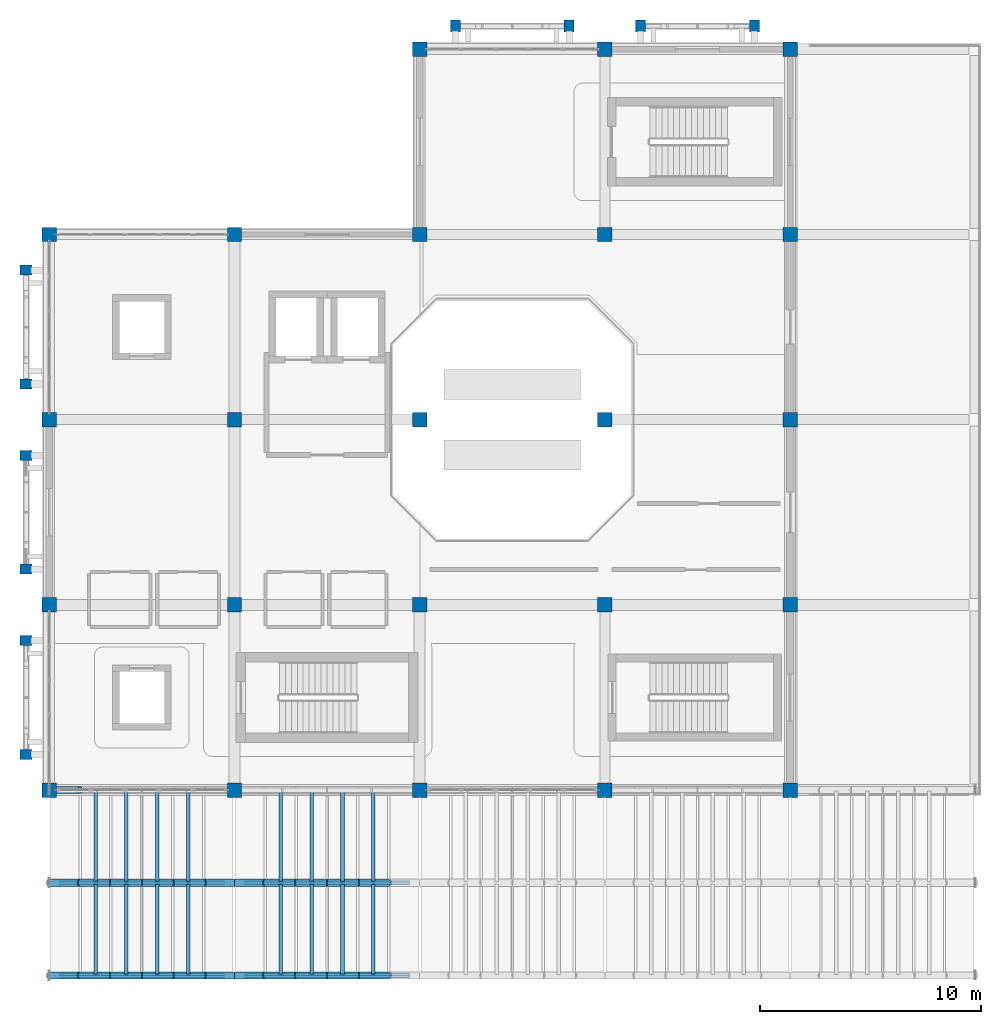
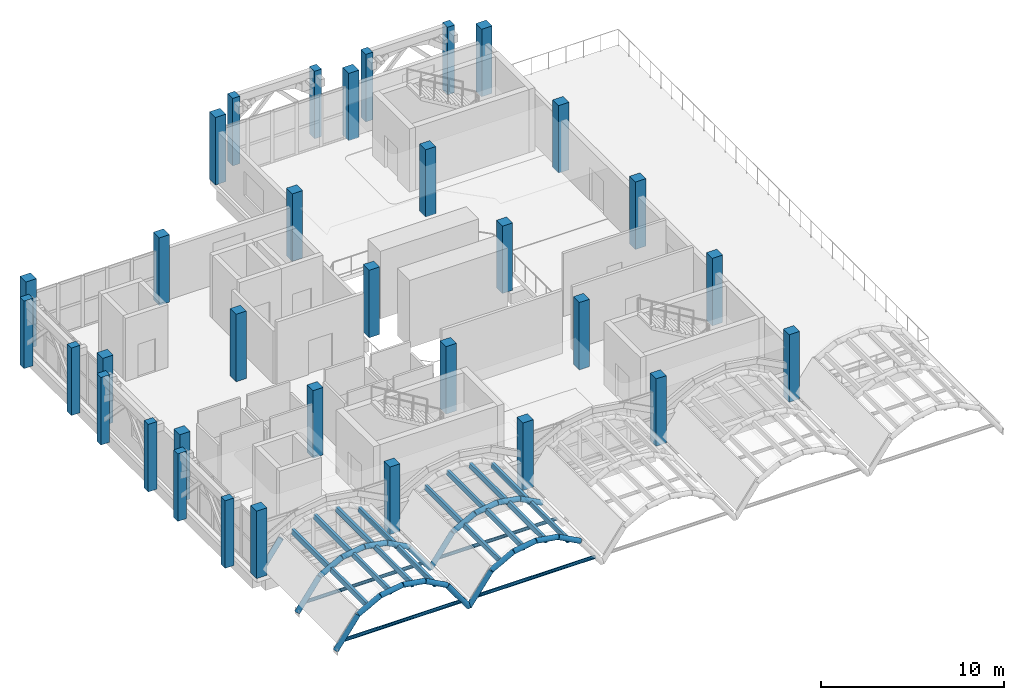
# One storey, part 1 of 22: 33 columns, 27 beams, 16 members.
"""IFC4 building model written with IfcOpenShell, lengths in metres."""

from ifc_helpers import new_model, si_unit, direction, frame, origin, origin_2d, place, context, subcontext, project, spatial, rectangle, hollow_circle, extrude, material, material_profile, profile_set, type_object, element, save


model = new_model("IFC4")

# Units and contexts
model_context = context("Model", 3, precision=1e-05, world=origin(), true_north=direction((0.0, 1.0)))
body_context = subcontext(model_context, "Body", "Model", "MODEL_VIEW")
ifc_project = project(units=[si_unit("LENGTHUNIT", "METRE"), si_unit("AREAUNIT", "SQUARE_METRE"), si_unit("VOLUMEUNIT", "CUBIC_METRE"), si_unit("PLANEANGLEUNIT", "RADIAN"), si_unit("MASSUNIT", "GRAM", prefix="KILO")], contexts=[model_context])

# Site, building, storey
site_placement = place(None, origin())
site = spatial("IfcSite", under=ifc_project, at=site_placement, CompositionType="ELEMENT")
building_placement = place(site_placement, origin())
building = spatial("IfcBuilding", under=site, at=building_placement, Name="Xazarin Passage Department Store", CompositionType="ELEMENT")
storey_placement = place(building_placement, frame((0.0, 0.0, 27.89990234375)))
storey = spatial("IfcBuildingStorey", under=building, at=storey_placement, Name="L06", CompositionType="ELEMENT", Elevation=27.89990234375)

# Columns
ifc_material_1 = material(Name="Concrete C40/50", Category="concrete")
ifc_material_profile_1 = material_profile(ifc_material_1, rectangle(XDim=0.64990234375, YDim=0.64990234375, at=origin_2d()), Name="RC 650x650")
ifc_profile_set_1 = profile_set([ifc_material_profile_1], Name="Concrete C40/50")
column_type_1 = type_object("IfcColumnType", Name="STR-COL-RC650", PredefinedType="COLUMN", material=ifc_profile_set_1)
for number, where, z_axis, x_axis, name in (
    (1, (0.0, 76.39990234375, 0.0), (0.0, 0.0, 1.0), (1.0, 0.0, 0.0), "L06 Column 1/L"),
    (2, (8.39990234375, 76.39990234375, 0.0), (0.0, 0.0, 1.0), (1.0, 0.0, 0.0), "L06 Column 2/L"),
    (3, (16.800048828125, 76.39990234375, 0.0), (0.0, 0.0, 1.0), (1.0, 0.0, 0.0), "L06 Column 3/L"),
    (4, (25.199951171875, 76.39990234375, 0.0), (0.0, 0.0, 1.0), (1.0, 0.0, 0.0), "L06 Column 4/L"),
    (5, (33.60009765625, 76.39990234375, 0.0), (0.0, 0.0, 1.0), (1.0, 0.0, 0.0), "L06 Column 5/L"),
    (6, (0.0, 84.800048828125, 0.0), (0.0, 0.0, 1.0), (1.0, 0.0, 0.0), "L06 Column 1/M"),
    (7, (8.39990234375, 84.800048828125, 0.0), (0.0, 0.0, 1.0), (1.0, 0.0, 0.0), "L06 Column 2/M"),
    (8, (16.800048828125, 84.800048828125, 0.0), (0.0, 0.0, 1.0), (1.0, 0.0, 0.0), "L06 Column 3/M"),
    (9, (25.199951171875, 84.800048828125, 0.0), (0.0, 0.0, 1.0), (1.0, 0.0, 0.0), "L06 Column 4/M"),
    (10, (33.60009765625, 84.800048828125, 0.0), (0.0, 0.0, 1.0), (1.0, 0.0, 0.0), "L06 Column 5/M"),
    (11, (0.0, 93.199951171875, 0.0), (0.0, 0.0, 1.0), (1.0, 0.0, 0.0), "L06 Column 1/N"),
    (12, (8.39990234375, 93.199951171875, 0.0), (0.0, 0.0, 1.0), (1.0, 0.0, 0.0), "L06 Column 2/N"),
    (13, (16.800048828125, 93.199951171875, 0.0), (0.0, 0.0, 1.0), (1.0, 0.0, 0.0), "L06 Column 3/N"),
    (14, (25.199951171875, 93.199951171875, 0.0), (0.0, 0.0, 1.0), (1.0, 0.0, 0.0), "L06 Column 4/N"),
    (15, (33.60009765625, 93.199951171875, 0.0), (0.0, 0.0, 1.0), (1.0, 0.0, 0.0), "L06 Column 5/N"),
    (16, (0.0, 101.60009765625, 0.0), (0.0, 0.0, 1.0), (1.0, 0.0, 0.0), "L06 Column 1/P"),
    (17, (8.39990234375, 101.60009765625, 0.0), (0.0, 0.0, 1.0), (1.0, 0.0, 0.0), "L06 Column 2/P"),
    (18, (16.800048828125, 101.60009765625, 0.0), (0.0, 0.0, 1.0), (1.0, 0.0, 0.0), "L06 Column 3/P"),
    (19, (25.199951171875, 101.60009765625, 0.0), (0.0, 0.0, 1.0), (1.0, 0.0, 0.0), "L06 Column 4/P"),
    (20, (33.60009765625, 101.60009765625, 0.0), (0.0, 0.0, 1.0), (1.0, 0.0, 0.0), "L06 Column 5/P"),
    (21, (16.800048828125, 110.0, 0.0), (0.0, 0.0, 1.0), (1.0, 0.0, 0.0), "L06 Column 3/Q"),
    (22, (25.199951171875, 110.0, 0.0), (0.0, 0.0, 1.0), (1.0, 0.0, 0.0), "L06 Column 4/Q"),
    (23, (33.60009765625, 110.0, 0.0), (0.0, 0.0, 1.0), (1.0, 0.0, 0.0), "L06 Column 5/Q"),
):
    element("IfcColumn", number, at=place(storey_placement, frame(where, z_axis=z_axis, x_axis=x_axis)), inside=storey, type_object=column_type_1, Name=name, PredefinedType="COLUMN", context=body_context, shape_type="SweptSolid", body=[
        extrude(rectangle(XDim=0.64990234375, YDim=0.64990234375, at=origin_2d()), origin(), (0.0, 0.0, 1.0), 4.5),
    ])
ifc_material_profile_2 = material_profile(ifc_material_1, rectangle(XDim=0.449951171875, YDim=0.550048828125, at=origin_2d()), Name="RC 450x550")
ifc_profile_set_2 = profile_set([ifc_material_profile_2], Name="Concrete C40/50")
column_type_2 = type_object("IfcColumnType", Name="STR-PIL-RC450", PredefinedType="PILASTER", material=ifc_profile_set_2)
for number, where, z_axis, x_axis, name in (
    (24, (18.419921875, 111.050048828125, 0.0), (0.0, 0.0, 1.0), (1.0, 0.0, 0.0), "L06 V1 Pierced-Arch Colonnade Pier 001L"),
    (25, (23.580078125, 111.050048828125, 0.0), (0.0, 0.0, 1.0), (1.0, 0.0, 0.0), "L06 V1 Pierced-Arch Colonnade Pier 001R"),
    (26, (26.820068359375, 111.050048828125, 0.0), (0.0, 0.0, 1.0), (1.0, 0.0, 0.0), "L06 V1 Pierced-Arch Colonnade Pier 002L"),
    (27, (31.97998046875, 111.050048828125, 0.0), (0.0, 0.0, 1.0), (1.0, 0.0, 0.0), "L06 V1 Pierced-Arch Colonnade Pier 002R"),
    (28, (-1.050048828125, 78.02001953125, 0.0), (0.0, 0.0, 1.0), (0.0, 1.0, 0.0), "L06 V1 Pierced-Arch Colonnade Pier 011L"),
    (29, (-1.050048828125, 83.179931640625, 0.0), (0.0, 0.0, 1.0), (0.0, 1.0, 0.0), "L06 V1 Pierced-Arch Colonnade Pier 011R"),
    (30, (-1.050048828125, 86.419921875, 0.0), (0.0, 0.0, 1.0), (0.0, 1.0, 0.0), "L06 V1 Pierced-Arch Colonnade Pier 012L"),
    (31, (-1.050048828125, 91.580078125, 0.0), (0.0, 0.0, 1.0), (0.0, 1.0, 0.0), "L06 V1 Pierced-Arch Colonnade Pier 012R"),
    (32, (-1.050048828125, 94.820068359375, 0.0), (0.0, 0.0, 1.0), (0.0, 1.0, 0.0), "L06 V1 Pierced-Arch Colonnade Pier 013L"),
    (33, (-1.050048828125, 99.97998046875, 0.0), (0.0, 0.0, 1.0), (0.0, 1.0, 0.0), "L06 V1 Pierced-Arch Colonnade Pier 013R"),
):
    element("IfcColumn", number, at=place(storey_placement, frame(where, z_axis=z_axis, x_axis=x_axis)), inside=storey, type_object=column_type_2, Name=name, PredefinedType="PILASTER", context=body_context, shape_type="SweptSolid", body=[
        extrude(rectangle(XDim=0.449951171875, YDim=0.550048828125, at=origin_2d()), origin(), (0.0, 0.0, 1.0), 4.5),
    ])

# Beams
ifc_material_2 = material(Name="Steel S355", Category="steel")
ifc_material_profile_3 = material_profile(ifc_material_2, hollow_circle(Radius=0.161865234375, WallThickness=0.01611328125, at=origin_2d()), Name="CHS 323.9x16")
ifc_profile_set_3 = profile_set([ifc_material_profile_3], Name="Steel S355")
beam_type_1 = type_object("IfcBeamType", Name="STR-BM-AR324", PredefinedType="BEAM", material=ifc_profile_set_3)
beam_1_placement = place(storey_placement, frame((0.0, 68.0, 0.0), z_axis=(0.589063161662, 0.0, 0.808086995053), x_axis=(0.0, 1.0, 0.0)))
element("IfcBeam", 34, at=beam_1_placement, inside=storey, type_object=beam_type_1, Name="L06 V1S Curved Shell Arch Rib 1.1.1", PredefinedType="BEAM", context=body_context, shape_type="SweptSolid", body=[
    extrude(hollow_circle(Radius=0.161865234375, WallThickness=0.01611328125, at=origin_2d()), origin(), (0.0, 0.0, 1.0), 2.37646484375),
])
beam_2_placement = place(storey_placement, frame((1.39990234375, 68.0, 1.92041015625), z_axis=(0.879963126177, 0.0, 0.475041994532), x_axis=(0.0, 1.0, 0.0)))
element("IfcBeam", 35, at=beam_2_placement, inside=storey, type_object=beam_type_1, Name="L06 V1S Curved Shell Arch Rib 1.1.2", PredefinedType="BEAM", context=body_context, shape_type="SweptSolid", body=[
    extrude(hollow_circle(Radius=0.161865234375, WallThickness=0.01611328125, at=origin_2d()), origin(), (0.0, 0.0, 1.0), 1.591064453125),
])
beam_3_placement = place(storey_placement, frame((2.800048828125, 68.0, 2.67626953125), z_axis=(0.987452450124, 0.0, 0.157916619596), x_axis=(0.0, 1.0, 0.0)))
element("IfcBeam", 36, at=beam_3_placement, inside=storey, type_object=beam_type_1, Name="L06 V1S Curved Shell Arch Rib 1.1.3", PredefinedType="BEAM", context=body_context, shape_type="SweptSolid", body=[
    extrude(hollow_circle(Radius=0.161865234375, WallThickness=0.01611328125, at=origin_2d()), origin(), (0.0, 0.0, 1.0), 1.417724609375),
])
beam_4_placement = place(storey_placement, frame((4.199951171875, 68.0, 2.900146484375), z_axis=(0.987456743544, 0.0, -0.157889770502), x_axis=(0.0, 1.0, 0.0)))
element("IfcBeam", 37, at=beam_4_placement, inside=storey, type_object=beam_type_1, Name="L06 V1S Curved Shell Arch Rib 1.1.4", PredefinedType="BEAM", context=body_context, shape_type="SweptSolid", body=[
    extrude(hollow_circle(Radius=0.161865234375, WallThickness=0.01611328125, at=origin_2d()), origin(), (0.0, 0.0, 1.0), 1.41796875),
])
beam_5_placement = place(storey_placement, frame((5.60009765625, 68.0, 2.67626953125), z_axis=(0.879928493742, 0.0, -0.475106141721), x_axis=(0.0, 1.0, 0.0)))
element("IfcBeam", 38, at=beam_5_placement, inside=storey, type_object=beam_type_1, Name="L06 V1S Curved Shell Arch Rib 1.1.5", PredefinedType="BEAM", context=body_context, shape_type="SweptSolid", body=[
    extrude(hollow_circle(Radius=0.161865234375, WallThickness=0.01611328125, at=origin_2d()), origin(), (0.0, 0.0, 1.0), 1.5908203125),
])
for number, where, z_axis, x_axis, name in (
    (39, (7.0, 68.0, 1.92041015625), (0.589063161662, 0.0, -0.808086995053), (0.0, 1.0, 0.0), "L06 V1S Curved Shell Arch Rib 1.1.6"),
    (40, (0.0, 72.199951171875, 0.0), (0.589063161662, 0.0, 0.808086995053), (0.0, 1.0, 0.0), "L06 V1S Curved Shell Arch Rib 1.2.1"),
):
    element("IfcBeam", number, at=place(storey_placement, frame(where, z_axis=z_axis, x_axis=x_axis)), inside=storey, type_object=beam_type_1, Name=name, PredefinedType="BEAM", context=body_context, shape_type="SweptSolid", body=[
        extrude(hollow_circle(Radius=0.161865234375, WallThickness=0.01611328125, at=origin_2d()), origin(), (0.0, 0.0, 1.0), 2.37646484375),
    ])
beam_6_placement = place(storey_placement, frame((1.39990234375, 72.199951171875, 1.92041015625), z_axis=(0.879963126177, 0.0, 0.475041994532), x_axis=(0.0, 1.0, 0.0)))
element("IfcBeam", 41, at=beam_6_placement, inside=storey, type_object=beam_type_1, Name="L06 V1S Curved Shell Arch Rib 1.2.2", PredefinedType="BEAM", context=body_context, shape_type="SweptSolid", body=[
    extrude(hollow_circle(Radius=0.161865234375, WallThickness=0.01611328125, at=origin_2d()), origin(), (0.0, 0.0, 1.0), 1.591064453125),
])
beam_7_placement = place(storey_placement, frame((2.800048828125, 72.199951171875, 2.67626953125), z_axis=(0.987452450124, 0.0, 0.157916619596), x_axis=(0.0, 1.0, 0.0)))
element("IfcBeam", 42, at=beam_7_placement, inside=storey, type_object=beam_type_1, Name="L06 V1S Curved Shell Arch Rib 1.2.3", PredefinedType="BEAM", context=body_context, shape_type="SweptSolid", body=[
    extrude(hollow_circle(Radius=0.161865234375, WallThickness=0.01611328125, at=origin_2d()), origin(), (0.0, 0.0, 1.0), 1.417724609375),
])
beam_8_placement = place(storey_placement, frame((4.199951171875, 72.199951171875, 2.900146484375), z_axis=(0.987456743544, 0.0, -0.157889770502), x_axis=(0.0, 1.0, 0.0)))
element("IfcBeam", 43, at=beam_8_placement, inside=storey, type_object=beam_type_1, Name="L06 V1S Curved Shell Arch Rib 1.2.4", PredefinedType="BEAM", context=body_context, shape_type="SweptSolid", body=[
    extrude(hollow_circle(Radius=0.161865234375, WallThickness=0.01611328125, at=origin_2d()), origin(), (0.0, 0.0, 1.0), 1.41796875),
])
beam_9_placement = place(storey_placement, frame((5.60009765625, 72.199951171875, 2.67626953125), z_axis=(0.879928493742, 0.0, -0.475106141721), x_axis=(0.0, 1.0, 0.0)))
element("IfcBeam", 44, at=beam_9_placement, inside=storey, type_object=beam_type_1, Name="L06 V1S Curved Shell Arch Rib 1.2.5", PredefinedType="BEAM", context=body_context, shape_type="SweptSolid", body=[
    extrude(hollow_circle(Radius=0.161865234375, WallThickness=0.01611328125, at=origin_2d()), origin(), (0.0, 0.0, 1.0), 1.5908203125),
])
for number, where, z_axis, x_axis, name in (
    (45, (7.0, 72.199951171875, 1.92041015625), (0.589063161662, 0.0, -0.808086995053), (0.0, 1.0, 0.0), "L06 V1S Curved Shell Arch Rib 1.2.6"),
    (46, (0.0, 76.39990234375, 0.0), (0.589063161662, 0.0, 0.808086995053), (0.0, 1.0, 0.0), "L06 V1S Curved Shell Arch Rib 1.3.1"),
):
    element("IfcBeam", number, at=place(storey_placement, frame(where, z_axis=z_axis, x_axis=x_axis)), inside=storey, type_object=beam_type_1, Name=name, PredefinedType="BEAM", context=body_context, shape_type="SweptSolid", body=[
        extrude(hollow_circle(Radius=0.161865234375, WallThickness=0.01611328125, at=origin_2d()), origin(), (0.0, 0.0, 1.0), 2.37646484375),
    ])
beam_10_placement = place(storey_placement, frame((8.39990234375, 68.0, 0.0), z_axis=(0.589130239798, 0.0, 0.808038093505), x_axis=(0.0, 1.0, 0.0)))
element("IfcBeam", 47, at=beam_10_placement, inside=storey, type_object=beam_type_1, Name="L06 V1S Curved Shell Arch Rib 2.1.1", PredefinedType="BEAM", context=body_context, shape_type="SweptSolid", body=[
    extrude(hollow_circle(Radius=0.161865234375, WallThickness=0.01611328125, at=origin_2d()), origin(), (0.0, 0.0, 1.0), 2.376708984375),
])
beam_11_placement = place(storey_placement, frame((9.800048828125, 68.0, 1.92041015625), z_axis=(0.879928493742, 0.0, 0.475106141721), x_axis=(0.0, 1.0, 0.0)))
element("IfcBeam", 48, at=beam_11_placement, inside=storey, type_object=beam_type_1, Name="L06 V1S Curved Shell Arch Rib 2.1.2", PredefinedType="BEAM", context=body_context, shape_type="SweptSolid", body=[
    extrude(hollow_circle(Radius=0.161865234375, WallThickness=0.01611328125, at=origin_2d()), origin(), (0.0, 0.0, 1.0), 1.5908203125),
])
beam_12_placement = place(storey_placement, frame((11.199951171875, 68.0, 2.67626953125), z_axis=(0.987456743544, 0.0, 0.157889770502), x_axis=(0.0, 1.0, 0.0)))
element("IfcBeam", 49, at=beam_12_placement, inside=storey, type_object=beam_type_1, Name="L06 V1S Curved Shell Arch Rib 2.1.3", PredefinedType="BEAM", context=body_context, shape_type="SweptSolid", body=[
    extrude(hollow_circle(Radius=0.161865234375, WallThickness=0.01611328125, at=origin_2d()), origin(), (0.0, 0.0, 1.0), 1.41796875),
])
beam_13_placement = place(storey_placement, frame((12.60009765625, 68.0, 2.900146484375), z_axis=(0.987452450124, 0.0, -0.157916619596), x_axis=(0.0, 1.0, 0.0)))
element("IfcBeam", 50, at=beam_13_placement, inside=storey, type_object=beam_type_1, Name="L06 V1S Curved Shell Arch Rib 2.1.4", PredefinedType="BEAM", context=body_context, shape_type="SweptSolid", body=[
    extrude(hollow_circle(Radius=0.161865234375, WallThickness=0.01611328125, at=origin_2d()), origin(), (0.0, 0.0, 1.0), 1.417724609375),
])
beam_14_placement = place(storey_placement, frame((14.0, 68.0, 2.67626953125), z_axis=(0.879928493742, 0.0, -0.475106141721), x_axis=(0.0, 1.0, 0.0)))
element("IfcBeam", 51, at=beam_14_placement, inside=storey, type_object=beam_type_1, Name="L06 V1S Curved Shell Arch Rib 2.1.5", PredefinedType="BEAM", context=body_context, shape_type="SweptSolid", body=[
    extrude(hollow_circle(Radius=0.161865234375, WallThickness=0.01611328125, at=origin_2d()), origin(), (0.0, 0.0, 1.0), 1.5908203125),
])
beam_15_placement = place(storey_placement, frame((8.39990234375, 72.199951171875, 0.0), z_axis=(0.589130239798, 0.0, 0.808038093505), x_axis=(0.0, 1.0, 0.0)))
element("IfcBeam", 52, at=beam_15_placement, inside=storey, type_object=beam_type_1, Name="L06 V1S Curved Shell Arch Rib 2.2.1", PredefinedType="BEAM", context=body_context, shape_type="SweptSolid", body=[
    extrude(hollow_circle(Radius=0.161865234375, WallThickness=0.01611328125, at=origin_2d()), origin(), (0.0, 0.0, 1.0), 2.376708984375),
])
beam_16_placement = place(storey_placement, frame((9.800048828125, 72.199951171875, 1.92041015625), z_axis=(0.879928493742, 0.0, 0.475106141721), x_axis=(0.0, 1.0, 0.0)))
element("IfcBeam", 53, at=beam_16_placement, inside=storey, type_object=beam_type_1, Name="L06 V1S Curved Shell Arch Rib 2.2.2", PredefinedType="BEAM", context=body_context, shape_type="SweptSolid", body=[
    extrude(hollow_circle(Radius=0.161865234375, WallThickness=0.01611328125, at=origin_2d()), origin(), (0.0, 0.0, 1.0), 1.5908203125),
])
beam_17_placement = place(storey_placement, frame((11.199951171875, 72.199951171875, 2.67626953125), z_axis=(0.987456743544, 0.0, 0.157889770502), x_axis=(0.0, 1.0, 0.0)))
element("IfcBeam", 54, at=beam_17_placement, inside=storey, type_object=beam_type_1, Name="L06 V1S Curved Shell Arch Rib 2.2.3", PredefinedType="BEAM", context=body_context, shape_type="SweptSolid", body=[
    extrude(hollow_circle(Radius=0.161865234375, WallThickness=0.01611328125, at=origin_2d()), origin(), (0.0, 0.0, 1.0), 1.41796875),
])
beam_18_placement = place(storey_placement, frame((12.60009765625, 72.199951171875, 2.900146484375), z_axis=(0.987452450124, 0.0, -0.157916619596), x_axis=(0.0, 1.0, 0.0)))
element("IfcBeam", 55, at=beam_18_placement, inside=storey, type_object=beam_type_1, Name="L06 V1S Curved Shell Arch Rib 2.2.4", PredefinedType="BEAM", context=body_context, shape_type="SweptSolid", body=[
    extrude(hollow_circle(Radius=0.161865234375, WallThickness=0.01611328125, at=origin_2d()), origin(), (0.0, 0.0, 1.0), 1.417724609375),
])
beam_19_placement = place(storey_placement, frame((14.0, 72.199951171875, 2.67626953125), z_axis=(0.879928493742, 0.0, -0.475106141721), x_axis=(0.0, 1.0, 0.0)))
element("IfcBeam", 56, at=beam_19_placement, inside=storey, type_object=beam_type_1, Name="L06 V1S Curved Shell Arch Rib 2.2.5", PredefinedType="BEAM", context=body_context, shape_type="SweptSolid", body=[
    extrude(hollow_circle(Radius=0.161865234375, WallThickness=0.01611328125, at=origin_2d()), origin(), (0.0, 0.0, 1.0), 1.5908203125),
])
ifc_material_profile_4 = material_profile(ifc_material_2, hollow_circle(Radius=0.109619140625, WallThickness=0.012451171875, at=origin_2d()), Name="CHS 219.1x12.5")
ifc_profile_set_4 = profile_set([ifc_material_profile_4], Name="Steel S355")
beam_type_2 = type_object("IfcBeamType", Name="STR-BM-TIE219", PredefinedType="BEAM", material=ifc_profile_set_4)
for number, where, z_axis, x_axis, name in (
    (57, (0.449951171875, 68.0, 0.52001953125), (1.0, 0.0, 0.0), (0.0, 1.0, 0.0), "L06 V1S Barrel Shell Tie 1.1"),
    (58, (0.449951171875, 72.199951171875, 0.52001953125), (1.0, 0.0, 0.0), (0.0, 1.0, 0.0), "L06 V1S Barrel Shell Tie 1.2"),
    (59, (8.85009765625, 68.0, 0.52001953125), (1.0, 0.0, 0.0), (0.0, 1.0, 0.0), "L06 V1S Barrel Shell Tie 2.1"),
    (60, (8.85009765625, 72.199951171875, 0.52001953125), (1.0, 0.0, 0.0), (0.0, 1.0, 0.0), "L06 V1S Barrel Shell Tie 2.2"),
):
    element("IfcBeam", number, at=place(storey_placement, frame(where, z_axis=z_axis, x_axis=x_axis)), inside=storey, type_object=beam_type_2, Name=name, PredefinedType="BEAM", context=body_context, shape_type="SweptSolid", body=[
        extrude(hollow_circle(Radius=0.109619140625, WallThickness=0.012451171875, at=origin_2d()), origin(), (0.0, 0.0, 1.0), 7.5),
    ])

# Members
ifc_material_3 = material(Name="Glulam GL28h", Category="wood")
ifc_material_profile_5 = material_profile(ifc_material_3, rectangle(XDim=0.159912109375, YDim=0.360107421875, at=origin_2d()), Name="GL28h 160x360")
ifc_profile_set_5 = profile_set([ifc_material_profile_5], Name="Glulam GL28h")
member_type = type_object("IfcMemberType", Name="STR-MEM-GL360", PredefinedType="PURLIN", material=ifc_profile_set_5)
member_1_placement = place(storey_placement, frame((2.10009765625, 68.050048828125, 2.178466796875), z_axis=(0.0, 1.0, 0.0), x_axis=(-1.0, 0.0, 0.0)))
element("IfcMember", 61, at=member_1_placement, inside=storey, type_object=member_type, Name="L06 V1S Barrel Shell Purlin 1.2.1", PredefinedType="PURLIN", context=body_context, shape_type="SweptSolid", body=[
    extrude(rectangle(XDim=0.159912109375, YDim=0.360107421875, at=origin_2d()), origin(), (0.0, 0.0, 1.0), 4.099853515625),
])
member_2_placement = place(storey_placement, frame((2.10009765625, 72.25, 2.178466796875), z_axis=(0.0, 1.0, 0.0), x_axis=(-1.0, 0.0, 0.0)))
element("IfcMember", 62, at=member_2_placement, inside=storey, type_object=member_type, Name="L06 V1S Barrel Shell Purlin 1.2.2", PredefinedType="PURLIN", context=body_context, shape_type="SweptSolid", body=[
    extrude(rectangle(XDim=0.159912109375, YDim=0.360107421875, at=origin_2d()), origin(), (0.0, 0.0, 1.0), 4.10009765625),
])
member_3_placement = place(storey_placement, frame((3.5, 68.050048828125, 2.668212890625), z_axis=(0.0, 1.0, 0.0), x_axis=(-1.0, 0.0, 0.0)))
element("IfcMember", 63, at=member_3_placement, inside=storey, type_object=member_type, Name="L06 V1S Barrel Shell Purlin 1.3.1", PredefinedType="PURLIN", context=body_context, shape_type="SweptSolid", body=[
    extrude(rectangle(XDim=0.159912109375, YDim=0.360107421875, at=origin_2d()), origin(), (0.0, 0.0, 1.0), 4.099853515625),
])
member_4_placement = place(storey_placement, frame((3.5, 72.25, 2.668212890625), z_axis=(0.0, 1.0, 0.0), x_axis=(-1.0, 0.0, 0.0)))
element("IfcMember", 64, at=member_4_placement, inside=storey, type_object=member_type, Name="L06 V1S Barrel Shell Purlin 1.3.2", PredefinedType="PURLIN", context=body_context, shape_type="SweptSolid", body=[
    extrude(rectangle(XDim=0.159912109375, YDim=0.360107421875, at=origin_2d()), origin(), (0.0, 0.0, 1.0), 4.10009765625),
])
member_5_placement = place(storey_placement, frame((4.89990234375, 68.050048828125, 2.668212890625), z_axis=(0.0, 1.0, 0.0), x_axis=(-1.0, 0.0, 0.0)))
element("IfcMember", 65, at=member_5_placement, inside=storey, type_object=member_type, Name="L06 V1S Barrel Shell Purlin 1.4.1", PredefinedType="PURLIN", context=body_context, shape_type="SweptSolid", body=[
    extrude(rectangle(XDim=0.159912109375, YDim=0.360107421875, at=origin_2d()), origin(), (0.0, 0.0, 1.0), 4.099853515625),
])
member_6_placement = place(storey_placement, frame((4.89990234375, 72.25, 2.668212890625), z_axis=(0.0, 1.0, 0.0), x_axis=(-1.0, 0.0, 0.0)))
element("IfcMember", 66, at=member_6_placement, inside=storey, type_object=member_type, Name="L06 V1S Barrel Shell Purlin 1.4.2", PredefinedType="PURLIN", context=body_context, shape_type="SweptSolid", body=[
    extrude(rectangle(XDim=0.159912109375, YDim=0.360107421875, at=origin_2d()), origin(), (0.0, 0.0, 1.0), 4.10009765625),
])
member_7_placement = place(storey_placement, frame((6.300048828125, 68.050048828125, 2.178466796875), z_axis=(0.0, 1.0, 0.0), x_axis=(-1.0, 0.0, 0.0)))
element("IfcMember", 67, at=member_7_placement, inside=storey, type_object=member_type, Name="L06 V1S Barrel Shell Purlin 1.5.1", PredefinedType="PURLIN", context=body_context, shape_type="SweptSolid", body=[
    extrude(rectangle(XDim=0.159912109375, YDim=0.360107421875, at=origin_2d()), origin(), (0.0, 0.0, 1.0), 4.099853515625),
])
member_8_placement = place(storey_placement, frame((6.300048828125, 72.25, 2.178466796875), z_axis=(0.0, 1.0, 0.0), x_axis=(-1.0, 0.0, 0.0)))
element("IfcMember", 68, at=member_8_placement, inside=storey, type_object=member_type, Name="L06 V1S Barrel Shell Purlin 1.5.2", PredefinedType="PURLIN", context=body_context, shape_type="SweptSolid", body=[
    extrude(rectangle(XDim=0.159912109375, YDim=0.360107421875, at=origin_2d()), origin(), (0.0, 0.0, 1.0), 4.10009765625),
])
member_9_placement = place(storey_placement, frame((10.5, 68.050048828125, 2.178466796875), z_axis=(0.0, 1.0, 0.0), x_axis=(-1.0, 0.0, 0.0)))
element("IfcMember", 69, at=member_9_placement, inside=storey, type_object=member_type, Name="L06 V1S Barrel Shell Purlin 2.2.1", PredefinedType="PURLIN", context=body_context, shape_type="SweptSolid", body=[
    extrude(rectangle(XDim=0.159912109375, YDim=0.360107421875, at=origin_2d()), origin(), (0.0, 0.0, 1.0), 4.099853515625),
])
member_10_placement = place(storey_placement, frame((10.5, 72.25, 2.178466796875), z_axis=(0.0, 1.0, 0.0), x_axis=(-1.0, 0.0, 0.0)))
element("IfcMember", 70, at=member_10_placement, inside=storey, type_object=member_type, Name="L06 V1S Barrel Shell Purlin 2.2.2", PredefinedType="PURLIN", context=body_context, shape_type="SweptSolid", body=[
    extrude(rectangle(XDim=0.159912109375, YDim=0.360107421875, at=origin_2d()), origin(), (0.0, 0.0, 1.0), 4.10009765625),
])
member_11_placement = place(storey_placement, frame((11.89990234375, 68.050048828125, 2.668212890625), z_axis=(0.0, 1.0, 0.0), x_axis=(-1.0, 0.0, 0.0)))
element("IfcMember", 71, at=member_11_placement, inside=storey, type_object=member_type, Name="L06 V1S Barrel Shell Purlin 2.3.1", PredefinedType="PURLIN", context=body_context, shape_type="SweptSolid", body=[
    extrude(rectangle(XDim=0.159912109375, YDim=0.360107421875, at=origin_2d()), origin(), (0.0, 0.0, 1.0), 4.099853515625),
])
member_12_placement = place(storey_placement, frame((11.89990234375, 72.25, 2.668212890625), z_axis=(0.0, 1.0, 0.0), x_axis=(-1.0, 0.0, 0.0)))
element("IfcMember", 72, at=member_12_placement, inside=storey, type_object=member_type, Name="L06 V1S Barrel Shell Purlin 2.3.2", PredefinedType="PURLIN", context=body_context, shape_type="SweptSolid", body=[
    extrude(rectangle(XDim=0.159912109375, YDim=0.360107421875, at=origin_2d()), origin(), (0.0, 0.0, 1.0), 4.10009765625),
])
member_13_placement = place(storey_placement, frame((13.300048828125, 68.050048828125, 2.668212890625), z_axis=(0.0, 1.0, 0.0), x_axis=(-1.0, 0.0, 0.0)))
element("IfcMember", 73, at=member_13_placement, inside=storey, type_object=member_type, Name="L06 V1S Barrel Shell Purlin 2.4.1", PredefinedType="PURLIN", context=body_context, shape_type="SweptSolid", body=[
    extrude(rectangle(XDim=0.159912109375, YDim=0.360107421875, at=origin_2d()), origin(), (0.0, 0.0, 1.0), 4.099853515625),
])
member_14_placement = place(storey_placement, frame((13.300048828125, 72.25, 2.668212890625), z_axis=(0.0, 1.0, 0.0), x_axis=(-1.0, 0.0, 0.0)))
element("IfcMember", 74, at=member_14_placement, inside=storey, type_object=member_type, Name="L06 V1S Barrel Shell Purlin 2.4.2", PredefinedType="PURLIN", context=body_context, shape_type="SweptSolid", body=[
    extrude(rectangle(XDim=0.159912109375, YDim=0.360107421875, at=origin_2d()), origin(), (0.0, 0.0, 1.0), 4.10009765625),
])
member_15_placement = place(storey_placement, frame((14.699951171875, 68.050048828125, 2.178466796875), z_axis=(0.0, 1.0, 0.0), x_axis=(-1.0, 0.0, 0.0)))
element("IfcMember", 75, at=member_15_placement, inside=storey, type_object=member_type, Name="L06 V1S Barrel Shell Purlin 2.5.1", PredefinedType="PURLIN", context=body_context, shape_type="SweptSolid", body=[
    extrude(rectangle(XDim=0.159912109375, YDim=0.360107421875, at=origin_2d()), origin(), (0.0, 0.0, 1.0), 4.099853515625),
])
member_16_placement = place(storey_placement, frame((14.699951171875, 72.25, 2.178466796875), z_axis=(0.0, 1.0, 0.0), x_axis=(-1.0, 0.0, 0.0)))
element("IfcMember", 76, at=member_16_placement, inside=storey, type_object=member_type, Name="L06 V1S Barrel Shell Purlin 2.5.2", PredefinedType="PURLIN", context=body_context, shape_type="SweptSolid", body=[
    extrude(rectangle(XDim=0.159912109375, YDim=0.360107421875, at=origin_2d()), origin(), (0.0, 0.0, 1.0), 4.10009765625),
])

save(model, "model.ifc")
